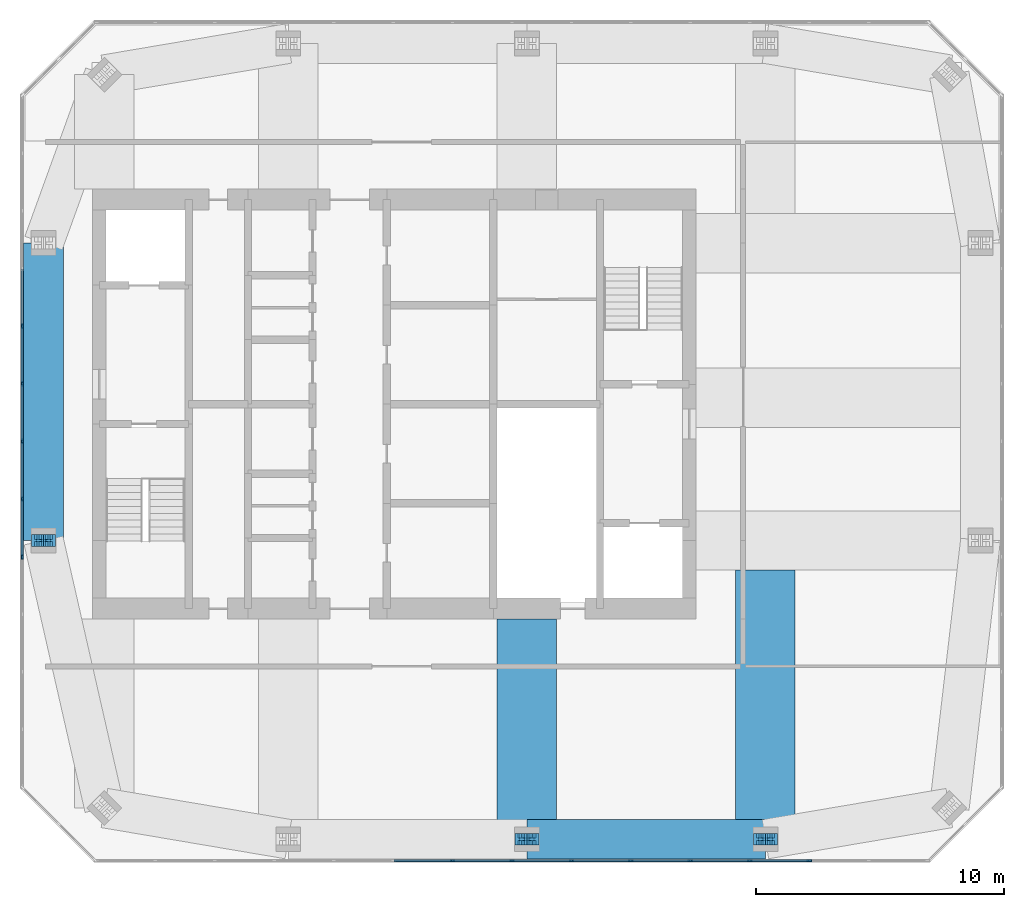
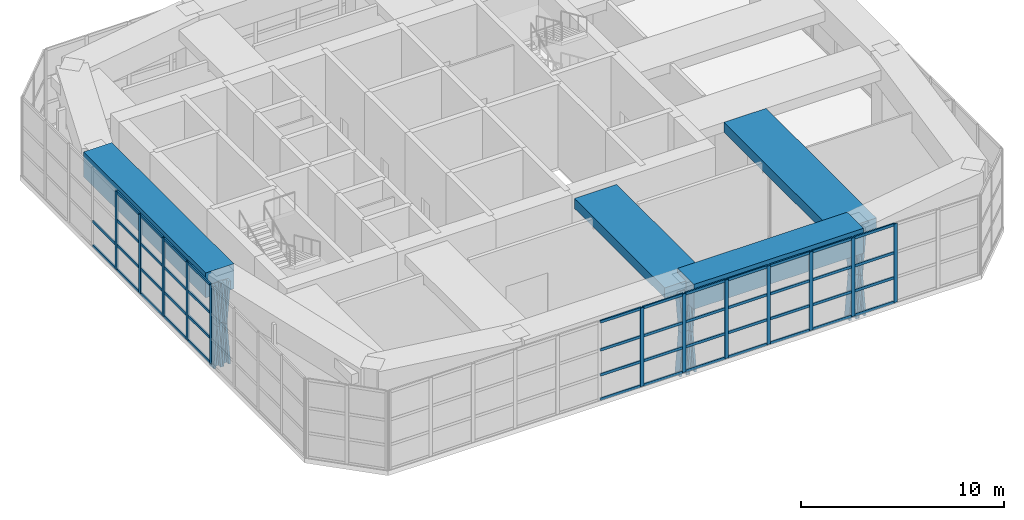
# One storey, part 3 of 14: 70 members, 4 beams, 2 elements without a shape of their own.
"""IFC4 building model written with IfcOpenShell, lengths in metres."""

from ifc_helpers import new_model, si_unit, direction, frame, origin, origin_2d, place, context, subcontext, project, spatial, rectangle, i_section, extrude, material, material_profile, profile_set, type_object, element, aggregate, save


model = new_model("IFC4")

# Units and contexts
model_context = context("Model", 3, precision=1e-05, world=origin(), true_north=direction((0.0, 1.0)))
body_context = subcontext(model_context, "Body", "Model", "MODEL_VIEW")
ifc_project = project(units=[si_unit("LENGTHUNIT", "METRE"), si_unit("AREAUNIT", "SQUARE_METRE"), si_unit("VOLUMEUNIT", "CUBIC_METRE"), si_unit("PLANEANGLEUNIT", "RADIAN"), si_unit("MASSUNIT", "GRAM", prefix="KILO")], contexts=[model_context])

# Site, building, storey
site_placement = place(None, origin())
site = spatial("IfcSite", under=ifc_project, at=site_placement, CompositionType="ELEMENT")
building_placement = place(site_placement, origin())
building = spatial("IfcBuilding", under=site, at=building_placement, Name="Jalousie Tower", CompositionType="ELEMENT")
storey_placement = place(building_placement, frame((0.0, 0.0, 272.75)))
storey = spatial("IfcBuildingStorey", under=building, at=storey_placement, Name="L74", CompositionType="ELEMENT", Elevation=272.75)

# Curtain wall, members
ifc_material_1 = material(Name="Aluminium curtain wall", Category="aluminium")
curtain_wall_type = type_object("IfcCurtainWallType", Name="CROWN LOUVRE WALL", PredefinedType="USERDEFINED", material=ifc_material_1)
curtain_wall_1_placement = place(storey_placement, origin())
curtain_wall_1 = element("IfcCurtainWall", 1, at=curtain_wall_1_placement, inside=storey, type_object=curtain_wall_type, Name="Crown Louvre Wall L74 1", ObjectType="CROWN LOUVRE WALL", PredefinedType="USERDEFINED")
ifc_material_2 = material(Name="Aluminium mullion", Category="aluminium")
ifc_material_profile_1 = material_profile(ifc_material_2, rectangle(XDim=0.080078125, YDim=0.199951171875, at=origin_2d()), Name="MULLION 80x200")
ifc_profile_set_1 = profile_set([ifc_material_profile_1], Name="Aluminium mullion")
member_type_1 = type_object("IfcMemberType", Name="CROWN LOUVRE WALL MULLION", PredefinedType="MULLION", material=ifc_profile_set_1)
member_1_placement = place(storey_placement, frame((34.250244140625, 0.08740234375, 0.0), z_axis=(0.0, 0.0, 1.0), x_axis=(0.0, 1.0, 0.0)))
member_1 = element("IfcMember", 2, at=member_1_placement, type_object=member_type_1, Name="CW-L mullion 7", PredefinedType="MULLION", context=body_context, shape_type="SweptSolid", body=[
    extrude(rectangle(XDim=0.080078125, YDim=0.199951171875, at=origin_2d()), origin(), (0.0, 0.0, 1.0), 4.719970703125),
])
member_2_placement = place(storey_placement, frame((36.64990234375, 0.08740234375, 0.0), z_axis=(0.0, 0.0, 1.0), x_axis=(0.0, 1.0, 0.0)))
member_2 = element("IfcMember", 3, at=member_2_placement, type_object=member_type_1, Name="CW-L mullion 8", PredefinedType="MULLION", context=body_context, shape_type="SweptSolid", body=[
    extrude(rectangle(XDim=0.080078125, YDim=0.199951171875, at=origin_2d()), origin(), (0.0, 0.0, 1.0), 4.719970703125),
])
member_3_placement = place(storey_placement, frame((39.0498046875, 0.08740234375, 0.0), z_axis=(0.0, 0.0, 1.0), x_axis=(0.0, 1.0, 0.0)))
member_3 = element("IfcMember", 4, at=member_3_placement, type_object=member_type_1, Name="CW-L mullion 9", PredefinedType="MULLION", context=body_context, shape_type="SweptSolid", body=[
    extrude(rectangle(XDim=0.080078125, YDim=0.199951171875, at=origin_2d()), origin(), (0.0, 0.0, 1.0), 4.719970703125),
])
member_4_placement = place(storey_placement, frame((41.44970703125, 0.08740234375, 0.0), z_axis=(0.0, 0.0, 1.0), x_axis=(0.0, 1.0, 0.0)))
member_4 = element("IfcMember", 5, at=member_4_placement, type_object=member_type_1, Name="CW-L mullion 10", PredefinedType="MULLION", context=body_context, shape_type="SweptSolid", body=[
    extrude(rectangle(XDim=0.080078125, YDim=0.199951171875, at=origin_2d()), origin(), (0.0, 0.0, 1.0), 4.719970703125),
])
member_5_placement = place(storey_placement, frame((43.849365234375, 0.08740234375, 0.0), z_axis=(0.0, 0.0, 1.0), x_axis=(0.0, 1.0, 0.0)))
member_5 = element("IfcMember", 6, at=member_5_placement, type_object=member_type_1, Name="CW-L mullion 11", PredefinedType="MULLION", context=body_context, shape_type="SweptSolid", body=[
    extrude(rectangle(XDim=0.080078125, YDim=0.199951171875, at=origin_2d()), origin(), (0.0, 0.0, 1.0), 4.719970703125),
])
member_6_placement = place(storey_placement, frame((46.249267578125, 0.08740234375, 0.0), z_axis=(0.0, 0.0, 1.0), x_axis=(0.0, 1.0, 0.0)))
member_6 = element("IfcMember", 7, at=member_6_placement, type_object=member_type_1, Name="CW-L mullion 12", PredefinedType="MULLION", context=body_context, shape_type="SweptSolid", body=[
    extrude(rectangle(XDim=0.080078125, YDim=0.199951171875, at=origin_2d()), origin(), (0.0, 0.0, 1.0), 4.719970703125),
])
member_7_placement = place(storey_placement, frame((48.649169921875, 0.08740234375, 0.0), z_axis=(0.0, 0.0, 1.0), x_axis=(0.0, 1.0, 0.0)))
member_7 = element("IfcMember", 8, at=member_7_placement, type_object=member_type_1, Name="CW-L mullion 13", PredefinedType="MULLION", context=body_context, shape_type="SweptSolid", body=[
    extrude(rectangle(XDim=0.080078125, YDim=0.199951171875, at=origin_2d()), origin(), (0.0, 0.0, 1.0), 4.719970703125),
])

curtain_wall_2_placement = place(storey_placement, origin())
curtain_wall_2 = element("IfcCurtainWall", 9, at=curtain_wall_2_placement, inside=storey, type_object=curtain_wall_type, Name="Crown Louvre Wall L74 7", ObjectType="CROWN LOUVRE WALL", PredefinedType="USERDEFINED")
member_8_placement = place(storey_placement, frame((16.887451171875, 21.649658203125, 0.0), z_axis=(0.0, 0.0, 1.0), x_axis=(1.0, 0.0, 0.0)))
member_8 = element("IfcMember", 10, at=member_8_placement, type_object=member_type_1, Name="CW-L mullion 5", PredefinedType="MULLION", context=body_context, shape_type="SweptSolid", body=[
    extrude(rectangle(XDim=0.080078125, YDim=0.199951171875, at=origin_2d()), origin(), (0.0, 0.0, 1.0), 4.719970703125),
])
member_9_placement = place(storey_placement, frame((16.887451171875, 19.32470703125, 0.0), z_axis=(0.0, 0.0, 1.0), x_axis=(1.0, 0.0, 0.0)))
member_9 = element("IfcMember", 11, at=member_9_placement, type_object=member_type_1, Name="CW-L mullion 6", PredefinedType="MULLION", context=body_context, shape_type="SweptSolid", body=[
    extrude(rectangle(XDim=0.080078125, YDim=0.199951171875, at=origin_2d()), origin(), (0.0, 0.0, 1.0), 4.719970703125),
])
member_10_placement = place(storey_placement, frame((16.887451171875, 17.0, 0.0), z_axis=(0.0, 0.0, 1.0), x_axis=(1.0, 0.0, 0.0)))
member_10 = element("IfcMember", 12, at=member_10_placement, type_object=member_type_1, Name="CW-L mullion 7", PredefinedType="MULLION", context=body_context, shape_type="SweptSolid", body=[
    extrude(rectangle(XDim=0.080078125, YDim=0.199951171875, at=origin_2d()), origin(), (0.0, 0.0, 1.0), 4.719970703125),
])
member_11_placement = place(storey_placement, frame((16.887451171875, 14.67529296875, 0.0), z_axis=(0.0, 0.0, 1.0), x_axis=(1.0, 0.0, 0.0)))
member_11 = element("IfcMember", 13, at=member_11_placement, type_object=member_type_1, Name="CW-L mullion 8", PredefinedType="MULLION", context=body_context, shape_type="SweptSolid", body=[
    extrude(rectangle(XDim=0.080078125, YDim=0.199951171875, at=origin_2d()), origin(), (0.0, 0.0, 1.0), 4.719970703125),
])
member_12_placement = place(storey_placement, frame((16.887451171875, 12.350341796875, 0.0), z_axis=(0.0, 0.0, 1.0), x_axis=(1.0, 0.0, 0.0)))
member_12 = element("IfcMember", 14, at=member_12_placement, type_object=member_type_1, Name="CW-L mullion 9", PredefinedType="MULLION", context=body_context, shape_type="SweptSolid", body=[
    extrude(rectangle(XDim=0.080078125, YDim=0.199951171875, at=origin_2d()), origin(), (0.0, 0.0, 1.0), 4.719970703125),
])

# Member
ifc_material_3 = material(Name="Aluminium transom", Category="aluminium")
ifc_material_profile_2 = material_profile(ifc_material_3, rectangle(XDim=0.080078125, YDim=0.159912109375, at=origin_2d()), Name="TRANSOM 80x160")
ifc_profile_set_2 = profile_set([ifc_material_profile_2], Name="Aluminium transom")
member_type_2 = type_object("IfcMemberType", Name="CROWN LOUVRE WALL TRANSOM", PredefinedType="USERDEFINED", material=ifc_profile_set_2)
member_13_placement = place(storey_placement, frame((31.890380859375, 0.08740234375, 0.0400390625), z_axis=(1.0, 0.0, 0.0), x_axis=(0.0, 1.0, 0.0)))
member_13 = element("IfcMember", 15, at=member_13_placement, type_object=member_type_2, Name="CW-L transom 6.1", ObjectType="TRANSOM", PredefinedType="USERDEFINED", context=body_context, shape_type="SweptSolid", body=[
    extrude(rectangle(XDim=0.080078125, YDim=0.159912109375, at=origin_2d()), origin(), (0.0, 0.0, 1.0), 2.31982421875),
])

member_14_placement = place(storey_placement, frame((31.890380859375, 0.08740234375, 1.5), z_axis=(1.0, 0.0, 0.0), x_axis=(0.0, 1.0, 0.0)))
member_14 = element("IfcMember", 16, at=member_14_placement, type_object=member_type_2, Name="CW-L transom 6.2", ObjectType="TRANSOM", PredefinedType="USERDEFINED", context=body_context, shape_type="SweptSolid", body=[
    extrude(rectangle(XDim=0.080078125, YDim=0.159912109375, at=origin_2d()), origin(), (0.0, 0.0, 1.0), 2.31982421875),
])

member_15_placement = place(storey_placement, frame((31.890380859375, 0.08740234375, 3.0), z_axis=(1.0, 0.0, 0.0), x_axis=(0.0, 1.0, 0.0)))
member_15 = element("IfcMember", 17, at=member_15_placement, type_object=member_type_2, Name="CW-L transom 6.3", ObjectType="TRANSOM", PredefinedType="USERDEFINED", context=body_context, shape_type="SweptSolid", body=[
    extrude(rectangle(XDim=0.080078125, YDim=0.159912109375, at=origin_2d()), origin(), (0.0, 0.0, 1.0), 2.31982421875),
])

member_16_placement = place(storey_placement, frame((31.890380859375, 0.08740234375, 4.679931640625), z_axis=(1.0, 0.0, 0.0), x_axis=(0.0, 1.0, 0.0)))
member_16 = element("IfcMember", 18, at=member_16_placement, type_object=member_type_2, Name="CW-L transom 6.4", ObjectType="TRANSOM", PredefinedType="USERDEFINED", context=body_context, shape_type="SweptSolid", body=[
    extrude(rectangle(XDim=0.080078125, YDim=0.159912109375, at=origin_2d()), origin(), (0.0, 0.0, 1.0), 2.31982421875),
])

member_17_placement = place(storey_placement, frame((34.290283203125, 0.08740234375, 0.0400390625), z_axis=(1.0, 0.0, 0.0), x_axis=(0.0, 1.0, 0.0)))
member_17 = element("IfcMember", 19, at=member_17_placement, type_object=member_type_2, Name="CW-L transom 7.1", ObjectType="TRANSOM", PredefinedType="USERDEFINED", context=body_context, shape_type="SweptSolid", body=[
    extrude(rectangle(XDim=0.080078125, YDim=0.159912109375, at=origin_2d()), origin(), (0.0, 0.0, 1.0), 2.31982421875),
])

member_18_placement = place(storey_placement, frame((34.290283203125, 0.08740234375, 1.5), z_axis=(1.0, 0.0, 0.0), x_axis=(0.0, 1.0, 0.0)))
member_18 = element("IfcMember", 20, at=member_18_placement, type_object=member_type_2, Name="CW-L transom 7.2", ObjectType="TRANSOM", PredefinedType="USERDEFINED", context=body_context, shape_type="SweptSolid", body=[
    extrude(rectangle(XDim=0.080078125, YDim=0.159912109375, at=origin_2d()), origin(), (0.0, 0.0, 1.0), 2.31982421875),
])

member_19_placement = place(storey_placement, frame((34.290283203125, 0.08740234375, 3.0), z_axis=(1.0, 0.0, 0.0), x_axis=(0.0, 1.0, 0.0)))
member_19 = element("IfcMember", 21, at=member_19_placement, type_object=member_type_2, Name="CW-L transom 7.3", ObjectType="TRANSOM", PredefinedType="USERDEFINED", context=body_context, shape_type="SweptSolid", body=[
    extrude(rectangle(XDim=0.080078125, YDim=0.159912109375, at=origin_2d()), origin(), (0.0, 0.0, 1.0), 2.31982421875),
])

member_20_placement = place(storey_placement, frame((34.290283203125, 0.08740234375, 4.679931640625), z_axis=(1.0, 0.0, 0.0), x_axis=(0.0, 1.0, 0.0)))
member_20 = element("IfcMember", 22, at=member_20_placement, type_object=member_type_2, Name="CW-L transom 7.4", ObjectType="TRANSOM", PredefinedType="USERDEFINED", context=body_context, shape_type="SweptSolid", body=[
    extrude(rectangle(XDim=0.080078125, YDim=0.159912109375, at=origin_2d()), origin(), (0.0, 0.0, 1.0), 2.31982421875),
])

member_21_placement = place(storey_placement, frame((36.68994140625, 0.08740234375, 0.0400390625), z_axis=(1.0, 0.0, 0.0), x_axis=(0.0, 1.0, 0.0)))
member_21 = element("IfcMember", 23, at=member_21_placement, type_object=member_type_2, Name="CW-L transom 8.1", ObjectType="TRANSOM", PredefinedType="USERDEFINED", context=body_context, shape_type="SweptSolid", body=[
    extrude(rectangle(XDim=0.080078125, YDim=0.159912109375, at=origin_2d()), origin(), (0.0, 0.0, 1.0), 2.31982421875),
])

member_22_placement = place(storey_placement, frame((36.68994140625, 0.08740234375, 1.5), z_axis=(1.0, 0.0, 0.0), x_axis=(0.0, 1.0, 0.0)))
member_22 = element("IfcMember", 24, at=member_22_placement, type_object=member_type_2, Name="CW-L transom 8.2", ObjectType="TRANSOM", PredefinedType="USERDEFINED", context=body_context, shape_type="SweptSolid", body=[
    extrude(rectangle(XDim=0.080078125, YDim=0.159912109375, at=origin_2d()), origin(), (0.0, 0.0, 1.0), 2.31982421875),
])

member_23_placement = place(storey_placement, frame((36.68994140625, 0.08740234375, 3.0), z_axis=(1.0, 0.0, 0.0), x_axis=(0.0, 1.0, 0.0)))
member_23 = element("IfcMember", 25, at=member_23_placement, type_object=member_type_2, Name="CW-L transom 8.3", ObjectType="TRANSOM", PredefinedType="USERDEFINED", context=body_context, shape_type="SweptSolid", body=[
    extrude(rectangle(XDim=0.080078125, YDim=0.159912109375, at=origin_2d()), origin(), (0.0, 0.0, 1.0), 2.31982421875),
])

member_24_placement = place(storey_placement, frame((36.68994140625, 0.08740234375, 4.679931640625), z_axis=(1.0, 0.0, 0.0), x_axis=(0.0, 1.0, 0.0)))
member_24 = element("IfcMember", 26, at=member_24_placement, type_object=member_type_2, Name="CW-L transom 8.4", ObjectType="TRANSOM", PredefinedType="USERDEFINED", context=body_context, shape_type="SweptSolid", body=[
    extrude(rectangle(XDim=0.080078125, YDim=0.159912109375, at=origin_2d()), origin(), (0.0, 0.0, 1.0), 2.31982421875),
])

member_25_placement = place(storey_placement, frame((39.08984375, 0.08740234375, 0.0400390625), z_axis=(1.0, 0.0, 0.0), x_axis=(0.0, 1.0, 0.0)))
member_25 = element("IfcMember", 27, at=member_25_placement, type_object=member_type_2, Name="CW-L transom 9.1", ObjectType="TRANSOM", PredefinedType="USERDEFINED", context=body_context, shape_type="SweptSolid", body=[
    extrude(rectangle(XDim=0.080078125, YDim=0.159912109375, at=origin_2d()), origin(), (0.0, 0.0, 1.0), 2.31982421875),
])

member_26_placement = place(storey_placement, frame((39.08984375, 0.08740234375, 1.5), z_axis=(1.0, 0.0, 0.0), x_axis=(0.0, 1.0, 0.0)))
member_26 = element("IfcMember", 28, at=member_26_placement, type_object=member_type_2, Name="CW-L transom 9.2", ObjectType="TRANSOM", PredefinedType="USERDEFINED", context=body_context, shape_type="SweptSolid", body=[
    extrude(rectangle(XDim=0.080078125, YDim=0.159912109375, at=origin_2d()), origin(), (0.0, 0.0, 1.0), 2.31982421875),
])

member_27_placement = place(storey_placement, frame((39.08984375, 0.08740234375, 3.0), z_axis=(1.0, 0.0, 0.0), x_axis=(0.0, 1.0, 0.0)))
member_27 = element("IfcMember", 29, at=member_27_placement, type_object=member_type_2, Name="CW-L transom 9.3", ObjectType="TRANSOM", PredefinedType="USERDEFINED", context=body_context, shape_type="SweptSolid", body=[
    extrude(rectangle(XDim=0.080078125, YDim=0.159912109375, at=origin_2d()), origin(), (0.0, 0.0, 1.0), 2.31982421875),
])

member_28_placement = place(storey_placement, frame((39.08984375, 0.08740234375, 4.679931640625), z_axis=(1.0, 0.0, 0.0), x_axis=(0.0, 1.0, 0.0)))
member_28 = element("IfcMember", 30, at=member_28_placement, type_object=member_type_2, Name="CW-L transom 9.4", ObjectType="TRANSOM", PredefinedType="USERDEFINED", context=body_context, shape_type="SweptSolid", body=[
    extrude(rectangle(XDim=0.080078125, YDim=0.159912109375, at=origin_2d()), origin(), (0.0, 0.0, 1.0), 2.31982421875),
])

member_29_placement = place(storey_placement, frame((41.48974609375, 0.08740234375, 0.0400390625), z_axis=(1.0, 0.0, 0.0), x_axis=(0.0, 1.0, 0.0)))
member_29 = element("IfcMember", 31, at=member_29_placement, type_object=member_type_2, Name="CW-L transom 10.1", ObjectType="TRANSOM", PredefinedType="USERDEFINED", context=body_context, shape_type="SweptSolid", body=[
    extrude(rectangle(XDim=0.080078125, YDim=0.159912109375, at=origin_2d()), origin(), (0.0, 0.0, 1.0), 2.319580078125),
])

member_30_placement = place(storey_placement, frame((41.48974609375, 0.08740234375, 1.5), z_axis=(1.0, 0.0, 0.0), x_axis=(0.0, 1.0, 0.0)))
member_30 = element("IfcMember", 32, at=member_30_placement, type_object=member_type_2, Name="CW-L transom 10.2", ObjectType="TRANSOM", PredefinedType="USERDEFINED", context=body_context, shape_type="SweptSolid", body=[
    extrude(rectangle(XDim=0.080078125, YDim=0.159912109375, at=origin_2d()), origin(), (0.0, 0.0, 1.0), 2.319580078125),
])

member_31_placement = place(storey_placement, frame((41.48974609375, 0.08740234375, 3.0), z_axis=(1.0, 0.0, 0.0), x_axis=(0.0, 1.0, 0.0)))
member_31 = element("IfcMember", 33, at=member_31_placement, type_object=member_type_2, Name="CW-L transom 10.3", ObjectType="TRANSOM", PredefinedType="USERDEFINED", context=body_context, shape_type="SweptSolid", body=[
    extrude(rectangle(XDim=0.080078125, YDim=0.159912109375, at=origin_2d()), origin(), (0.0, 0.0, 1.0), 2.319580078125),
])

member_32_placement = place(storey_placement, frame((41.48974609375, 0.08740234375, 4.679931640625), z_axis=(1.0, 0.0, 0.0), x_axis=(0.0, 1.0, 0.0)))
member_32 = element("IfcMember", 34, at=member_32_placement, type_object=member_type_2, Name="CW-L transom 10.4", ObjectType="TRANSOM", PredefinedType="USERDEFINED", context=body_context, shape_type="SweptSolid", body=[
    extrude(rectangle(XDim=0.080078125, YDim=0.159912109375, at=origin_2d()), origin(), (0.0, 0.0, 1.0), 2.319580078125),
])

member_33_placement = place(storey_placement, frame((43.889404296875, 0.08740234375, 0.0400390625), z_axis=(1.0, 0.0, 0.0), x_axis=(0.0, 1.0, 0.0)))
member_33 = element("IfcMember", 35, at=member_33_placement, type_object=member_type_2, Name="CW-L transom 11.1", ObjectType="TRANSOM", PredefinedType="USERDEFINED", context=body_context, shape_type="SweptSolid", body=[
    extrude(rectangle(XDim=0.080078125, YDim=0.159912109375, at=origin_2d()), origin(), (0.0, 0.0, 1.0), 2.31982421875),
])

member_34_placement = place(storey_placement, frame((43.889404296875, 0.08740234375, 1.5), z_axis=(1.0, 0.0, 0.0), x_axis=(0.0, 1.0, 0.0)))
member_34 = element("IfcMember", 36, at=member_34_placement, type_object=member_type_2, Name="CW-L transom 11.2", ObjectType="TRANSOM", PredefinedType="USERDEFINED", context=body_context, shape_type="SweptSolid", body=[
    extrude(rectangle(XDim=0.080078125, YDim=0.159912109375, at=origin_2d()), origin(), (0.0, 0.0, 1.0), 2.31982421875),
])

member_35_placement = place(storey_placement, frame((43.889404296875, 0.08740234375, 3.0), z_axis=(1.0, 0.0, 0.0), x_axis=(0.0, 1.0, 0.0)))
member_35 = element("IfcMember", 37, at=member_35_placement, type_object=member_type_2, Name="CW-L transom 11.3", ObjectType="TRANSOM", PredefinedType="USERDEFINED", context=body_context, shape_type="SweptSolid", body=[
    extrude(rectangle(XDim=0.080078125, YDim=0.159912109375, at=origin_2d()), origin(), (0.0, 0.0, 1.0), 2.31982421875),
])

member_36_placement = place(storey_placement, frame((43.889404296875, 0.08740234375, 4.679931640625), z_axis=(1.0, 0.0, 0.0), x_axis=(0.0, 1.0, 0.0)))
member_36 = element("IfcMember", 38, at=member_36_placement, type_object=member_type_2, Name="CW-L transom 11.4", ObjectType="TRANSOM", PredefinedType="USERDEFINED", context=body_context, shape_type="SweptSolid", body=[
    extrude(rectangle(XDim=0.080078125, YDim=0.159912109375, at=origin_2d()), origin(), (0.0, 0.0, 1.0), 2.31982421875),
])

member_37_placement = place(storey_placement, frame((46.289306640625, 0.08740234375, 0.0400390625), z_axis=(1.0, 0.0, 0.0), x_axis=(0.0, 1.0, 0.0)))
member_37 = element("IfcMember", 39, at=member_37_placement, type_object=member_type_2, Name="CW-L transom 12.1", ObjectType="TRANSOM", PredefinedType="USERDEFINED", context=body_context, shape_type="SweptSolid", body=[
    extrude(rectangle(XDim=0.080078125, YDim=0.159912109375, at=origin_2d()), origin(), (0.0, 0.0, 1.0), 2.31982421875),
])

member_38_placement = place(storey_placement, frame((46.289306640625, 0.08740234375, 1.5), z_axis=(1.0, 0.0, 0.0), x_axis=(0.0, 1.0, 0.0)))
member_38 = element("IfcMember", 40, at=member_38_placement, type_object=member_type_2, Name="CW-L transom 12.2", ObjectType="TRANSOM", PredefinedType="USERDEFINED", context=body_context, shape_type="SweptSolid", body=[
    extrude(rectangle(XDim=0.080078125, YDim=0.159912109375, at=origin_2d()), origin(), (0.0, 0.0, 1.0), 2.31982421875),
])

member_39_placement = place(storey_placement, frame((46.289306640625, 0.08740234375, 3.0), z_axis=(1.0, 0.0, 0.0), x_axis=(0.0, 1.0, 0.0)))
member_39 = element("IfcMember", 41, at=member_39_placement, type_object=member_type_2, Name="CW-L transom 12.3", ObjectType="TRANSOM", PredefinedType="USERDEFINED", context=body_context, shape_type="SweptSolid", body=[
    extrude(rectangle(XDim=0.080078125, YDim=0.159912109375, at=origin_2d()), origin(), (0.0, 0.0, 1.0), 2.31982421875),
])

member_40_placement = place(storey_placement, frame((46.289306640625, 0.08740234375, 4.679931640625), z_axis=(1.0, 0.0, 0.0), x_axis=(0.0, 1.0, 0.0)))
member_40 = element("IfcMember", 42, at=member_40_placement, type_object=member_type_2, Name="CW-L transom 12.4", ObjectType="TRANSOM", PredefinedType="USERDEFINED", context=body_context, shape_type="SweptSolid", body=[
    extrude(rectangle(XDim=0.080078125, YDim=0.159912109375, at=origin_2d()), origin(), (0.0, 0.0, 1.0), 2.31982421875),
])

aggregate(curtain_wall_1, [member_1, member_2, member_3, member_4, member_5, member_6, member_7, member_13, member_14, member_15, member_16, member_17, member_18, member_19, member_20, member_21, member_22, member_23, member_24, member_25, member_26, member_27, member_28, member_29, member_30, member_31, member_32, member_33, member_34, member_35, member_36, member_37, member_38, member_39, member_40])

member_41_placement = place(storey_placement, frame((16.887451171875, 23.934326171875, 0.0400390625), z_axis=(0.0, -1.0, 0.0), x_axis=(1.0, 0.0, 0.0)))
member_41 = element("IfcMember", 43, at=member_41_placement, type_object=member_type_2, Name="CW-L transom 4.1", ObjectType="TRANSOM", PredefinedType="USERDEFINED", context=body_context, shape_type="SweptSolid", body=[
    extrude(rectangle(XDim=0.080078125, YDim=0.159912109375, at=origin_2d()), origin(), (0.0, 0.0, 1.0), 2.244873046875),
])

member_42_placement = place(storey_placement, frame((16.887451171875, 23.934326171875, 1.5), z_axis=(0.0, -1.0, 0.0), x_axis=(1.0, 0.0, 0.0)))
member_42 = element("IfcMember", 44, at=member_42_placement, type_object=member_type_2, Name="CW-L transom 4.2", ObjectType="TRANSOM", PredefinedType="USERDEFINED", context=body_context, shape_type="SweptSolid", body=[
    extrude(rectangle(XDim=0.080078125, YDim=0.159912109375, at=origin_2d()), origin(), (0.0, 0.0, 1.0), 2.244873046875),
])

member_43_placement = place(storey_placement, frame((16.887451171875, 21.609619140625, 0.0400390625), z_axis=(0.0, -1.0, 0.0), x_axis=(1.0, 0.0, 0.0)))
member_43 = element("IfcMember", 45, at=member_43_placement, type_object=member_type_2, Name="CW-L transom 5.1", ObjectType="TRANSOM", PredefinedType="USERDEFINED", context=body_context, shape_type="SweptSolid", body=[
    extrude(rectangle(XDim=0.080078125, YDim=0.159912109375, at=origin_2d()), origin(), (0.0, 0.0, 1.0), 2.244873046875),
])

member_44_placement = place(storey_placement, frame((16.887451171875, 21.609619140625, 1.5), z_axis=(0.0, -1.0, 0.0), x_axis=(1.0, 0.0, 0.0)))
member_44 = element("IfcMember", 46, at=member_44_placement, type_object=member_type_2, Name="CW-L transom 5.2", ObjectType="TRANSOM", PredefinedType="USERDEFINED", context=body_context, shape_type="SweptSolid", body=[
    extrude(rectangle(XDim=0.080078125, YDim=0.159912109375, at=origin_2d()), origin(), (0.0, 0.0, 1.0), 2.244873046875),
])

member_45_placement = place(storey_placement, frame((16.887451171875, 21.609619140625, 3.0), z_axis=(0.0, -1.0, 0.0), x_axis=(1.0, 0.0, 0.0)))
member_45 = element("IfcMember", 47, at=member_45_placement, type_object=member_type_2, Name="CW-L transom 5.3", ObjectType="TRANSOM", PredefinedType="USERDEFINED", context=body_context, shape_type="SweptSolid", body=[
    extrude(rectangle(XDim=0.080078125, YDim=0.159912109375, at=origin_2d()), origin(), (0.0, 0.0, 1.0), 2.244873046875),
])

member_46_placement = place(storey_placement, frame((16.887451171875, 21.609619140625, 4.679931640625), z_axis=(0.0, -1.0, 0.0), x_axis=(1.0, 0.0, 0.0)))
member_46 = element("IfcMember", 48, at=member_46_placement, type_object=member_type_2, Name="CW-L transom 5.4", ObjectType="TRANSOM", PredefinedType="USERDEFINED", context=body_context, shape_type="SweptSolid", body=[
    extrude(rectangle(XDim=0.080078125, YDim=0.159912109375, at=origin_2d()), origin(), (0.0, 0.0, 1.0), 2.244873046875),
])

member_47_placement = place(storey_placement, frame((16.887451171875, 19.28466796875, 0.0400390625), z_axis=(0.0, -1.0, 0.0), x_axis=(1.0, 0.0, 0.0)))
member_47 = element("IfcMember", 49, at=member_47_placement, type_object=member_type_2, Name="CW-L transom 6.1", ObjectType="TRANSOM", PredefinedType="USERDEFINED", context=body_context, shape_type="SweptSolid", body=[
    extrude(rectangle(XDim=0.080078125, YDim=0.159912109375, at=origin_2d()), origin(), (0.0, 0.0, 1.0), 2.24462890625),
])

member_48_placement = place(storey_placement, frame((16.887451171875, 19.28466796875, 1.5), z_axis=(0.0, -1.0, 0.0), x_axis=(1.0, 0.0, 0.0)))
member_48 = element("IfcMember", 50, at=member_48_placement, type_object=member_type_2, Name="CW-L transom 6.2", ObjectType="TRANSOM", PredefinedType="USERDEFINED", context=body_context, shape_type="SweptSolid", body=[
    extrude(rectangle(XDim=0.080078125, YDim=0.159912109375, at=origin_2d()), origin(), (0.0, 0.0, 1.0), 2.24462890625),
])

member_49_placement = place(storey_placement, frame((16.887451171875, 19.28466796875, 3.0), z_axis=(0.0, -1.0, 0.0), x_axis=(1.0, 0.0, 0.0)))
member_49 = element("IfcMember", 51, at=member_49_placement, type_object=member_type_2, Name="CW-L transom 6.3", ObjectType="TRANSOM", PredefinedType="USERDEFINED", context=body_context, shape_type="SweptSolid", body=[
    extrude(rectangle(XDim=0.080078125, YDim=0.159912109375, at=origin_2d()), origin(), (0.0, 0.0, 1.0), 2.24462890625),
])

member_50_placement = place(storey_placement, frame((16.887451171875, 19.28466796875, 4.679931640625), z_axis=(0.0, -1.0, 0.0), x_axis=(1.0, 0.0, 0.0)))
member_50 = element("IfcMember", 52, at=member_50_placement, type_object=member_type_2, Name="CW-L transom 6.4", ObjectType="TRANSOM", PredefinedType="USERDEFINED", context=body_context, shape_type="SweptSolid", body=[
    extrude(rectangle(XDim=0.080078125, YDim=0.159912109375, at=origin_2d()), origin(), (0.0, 0.0, 1.0), 2.24462890625),
])

member_51_placement = place(storey_placement, frame((16.887451171875, 16.9599609375, 0.0400390625), z_axis=(0.0, -1.0, 0.0), x_axis=(1.0, 0.0, 0.0)))
member_51 = element("IfcMember", 53, at=member_51_placement, type_object=member_type_2, Name="CW-L transom 7.1", ObjectType="TRANSOM", PredefinedType="USERDEFINED", context=body_context, shape_type="SweptSolid", body=[
    extrude(rectangle(XDim=0.080078125, YDim=0.159912109375, at=origin_2d()), origin(), (0.0, 0.0, 1.0), 2.24462890625),
])

member_52_placement = place(storey_placement, frame((16.887451171875, 16.9599609375, 1.5), z_axis=(0.0, -1.0, 0.0), x_axis=(1.0, 0.0, 0.0)))
member_52 = element("IfcMember", 54, at=member_52_placement, type_object=member_type_2, Name="CW-L transom 7.2", ObjectType="TRANSOM", PredefinedType="USERDEFINED", context=body_context, shape_type="SweptSolid", body=[
    extrude(rectangle(XDim=0.080078125, YDim=0.159912109375, at=origin_2d()), origin(), (0.0, 0.0, 1.0), 2.24462890625),
])

member_53_placement = place(storey_placement, frame((16.887451171875, 16.9599609375, 3.0), z_axis=(0.0, -1.0, 0.0), x_axis=(1.0, 0.0, 0.0)))
member_53 = element("IfcMember", 55, at=member_53_placement, type_object=member_type_2, Name="CW-L transom 7.3", ObjectType="TRANSOM", PredefinedType="USERDEFINED", context=body_context, shape_type="SweptSolid", body=[
    extrude(rectangle(XDim=0.080078125, YDim=0.159912109375, at=origin_2d()), origin(), (0.0, 0.0, 1.0), 2.24462890625),
])

member_54_placement = place(storey_placement, frame((16.887451171875, 16.9599609375, 4.679931640625), z_axis=(0.0, -1.0, 0.0), x_axis=(1.0, 0.0, 0.0)))
member_54 = element("IfcMember", 56, at=member_54_placement, type_object=member_type_2, Name="CW-L transom 7.4", ObjectType="TRANSOM", PredefinedType="USERDEFINED", context=body_context, shape_type="SweptSolid", body=[
    extrude(rectangle(XDim=0.080078125, YDim=0.159912109375, at=origin_2d()), origin(), (0.0, 0.0, 1.0), 2.24462890625),
])

member_55_placement = place(storey_placement, frame((16.887451171875, 14.63525390625, 0.0400390625), z_axis=(0.0, -1.0, 0.0), x_axis=(1.0, 0.0, 0.0)))
member_55 = element("IfcMember", 57, at=member_55_placement, type_object=member_type_2, Name="CW-L transom 8.1", ObjectType="TRANSOM", PredefinedType="USERDEFINED", context=body_context, shape_type="SweptSolid", body=[
    extrude(rectangle(XDim=0.080078125, YDim=0.159912109375, at=origin_2d()), origin(), (0.0, 0.0, 1.0), 2.244873046875),
])

member_56_placement = place(storey_placement, frame((16.887451171875, 14.63525390625, 1.5), z_axis=(0.0, -1.0, 0.0), x_axis=(1.0, 0.0, 0.0)))
member_56 = element("IfcMember", 58, at=member_56_placement, type_object=member_type_2, Name="CW-L transom 8.2", ObjectType="TRANSOM", PredefinedType="USERDEFINED", context=body_context, shape_type="SweptSolid", body=[
    extrude(rectangle(XDim=0.080078125, YDim=0.159912109375, at=origin_2d()), origin(), (0.0, 0.0, 1.0), 2.244873046875),
])

member_57_placement = place(storey_placement, frame((16.887451171875, 14.63525390625, 3.0), z_axis=(0.0, -1.0, 0.0), x_axis=(1.0, 0.0, 0.0)))
member_57 = element("IfcMember", 59, at=member_57_placement, type_object=member_type_2, Name="CW-L transom 8.3", ObjectType="TRANSOM", PredefinedType="USERDEFINED", context=body_context, shape_type="SweptSolid", body=[
    extrude(rectangle(XDim=0.080078125, YDim=0.159912109375, at=origin_2d()), origin(), (0.0, 0.0, 1.0), 2.244873046875),
])

member_58_placement = place(storey_placement, frame((16.887451171875, 14.63525390625, 4.679931640625), z_axis=(0.0, -1.0, 0.0), x_axis=(1.0, 0.0, 0.0)))
member_58 = element("IfcMember", 60, at=member_58_placement, type_object=member_type_2, Name="CW-L transom 8.4", ObjectType="TRANSOM", PredefinedType="USERDEFINED", context=body_context, shape_type="SweptSolid", body=[
    extrude(rectangle(XDim=0.080078125, YDim=0.159912109375, at=origin_2d()), origin(), (0.0, 0.0, 1.0), 2.244873046875),
])

aggregate(curtain_wall_2, [member_8, member_9, member_10, member_11, member_12, member_41, member_42, member_43, member_44, member_45, member_46, member_47, member_48, member_49, member_50, member_51, member_52, member_53, member_54, member_55, member_56, member_57, member_58])

# Members
ifc_material_4 = material(Name="Steel ASTM A992 Grade 50", Category="steel")
ifc_material_profile_3 = material_profile(ifc_material_4, i_section(OverallWidth=0.472412109375, OverallDepth=0.5791015625, WebThickness=0.094970703125, FlangeThickness=0.1298828125, at=origin_2d()), Name="W14X808")
ifc_profile_set_3 = profile_set([ifc_material_profile_3], Name="Steel ASTM A992 Grade 50")
member_type_3 = type_object("IfcMemberType", Name="PERIMETER BRACE W14X808", PredefinedType="BRACE", material=ifc_profile_set_3)
for number, where, z_axis, x_axis, name in (
    (61, (37.050048828125, 0.949951171875, -0.75), (0.079725876999, 0.0, 0.99681682597), (0.0, 1.0, 0.0), "Perimeter brace 03 L74 part 1"),
    (62, (37.25, 0.949951171875, 1.75), (0.079725876999, 0.0, 0.99681682597), (0.0, 1.0, 0.0), "Perimeter brace 03 L74 part 2"),
    (63, (37.449951171875, 0.949951171875, -0.75), (-0.079725876999, 0.0, 0.99681682597), (0.0, -1.0, 0.0), "Perimeter brace 03 L74 part 3"),
    (64, (37.25, 0.949951171875, 1.75), (-0.079725876999, 0.0, 0.99681682597), (0.0, -1.0, 0.0), "Perimeter brace 03 L74 part 4"),
    (65, (46.675048828125, 0.949951171875, -0.75), (0.079725876999, 0.0, 0.99681682597), (0.0, 1.0, 0.0), "Perimeter brace 04 L74 part 1"),
    (66, (46.875, 0.949951171875, 1.75), (0.079725876999, 0.0, 0.99681682597), (0.0, 1.0, 0.0), "Perimeter brace 04 L74 part 2"),
    (67, (47.074951171875, 0.949951171875, -0.75), (-0.079725876999, 0.0, 0.99681682597), (0.0, -1.0, 0.0), "Perimeter brace 04 L74 part 3"),
    (68, (46.875, 0.949951171875, 1.75), (-0.079725876999, 0.0, 0.99681682597), (0.0, -1.0, 0.0), "Perimeter brace 04 L74 part 4"),
    (69, (17.550048828125, 13.0, -0.75), (0.079725876999, 0.0, 0.99681682597), (0.0, 1.0, 0.0), "Perimeter brace 14 L74 part 1"),
    (70, (17.75, 13.0, 1.75), (0.079725876999, 0.0, 0.99681682597), (0.0, 1.0, 0.0), "Perimeter brace 14 L74 part 2"),
    (71, (17.949951171875, 13.0, -0.75), (-0.079725876999, 0.0, 0.99681682597), (0.0, -1.0, 0.0), "Perimeter brace 14 L74 part 3"),
    (72, (17.75, 13.0, 1.75), (-0.079725876999, 0.0, 0.99681682597), (0.0, -1.0, 0.0), "Perimeter brace 14 L74 part 4"),
):
    element("IfcMember", number, at=place(storey_placement, frame(where, z_axis=z_axis, x_axis=x_axis)), inside=storey, type_object=member_type_3, Name=name, PredefinedType="BRACE", context=body_context, shape_type="SweptSolid", body=[
        extrude(i_section(OverallWidth=0.472412109375, OverallDepth=0.5791015625, WebThickness=0.094970703125, FlangeThickness=0.1298828125, at=origin_2d()), origin(), (0.0, 0.0, 1.0), 2.508056640625),
    ])

# Beams
ifc_material_5 = material(Name="Concrete f'c 40 MPa", Category="concrete")
ifc_material_profile_4 = material_profile(ifc_material_5, rectangle(XDim=1.60009765625, YDim=1.5, at=origin_2d()), Name="RC 1600x1500")
ifc_profile_set_4 = profile_set([ifc_material_profile_4], Name="Concrete f'c 40 MPa")
beam_type_1 = type_object("IfcBeamType", Name="RC BEAM 1600x1500", PredefinedType="BEAM", material=ifc_profile_set_4)
beam_1_placement = place(storey_placement, frame((37.25, 0.949951171875, 4.25), z_axis=(1.0, 0.0, 0.0), x_axis=(0.0, 1.0, 0.0)))
element("IfcBeam", 73, at=beam_1_placement, inside=storey, type_object=beam_type_1, Name="Edge band beam 03-04 under RF", PredefinedType="BEAM", context=body_context, shape_type="SweptSolid", body=[
    extrude(rectangle(XDim=1.60009765625, YDim=1.5, at=origin_2d()), origin(), (0.0, 0.0, 1.0), 9.625),
])
beam_2_placement = place(storey_placement, frame((17.75, 25.0, 4.25), z_axis=(0.0, -1.0, 0.0), x_axis=(1.0, 0.0, 0.0)))
element("IfcBeam", 74, at=beam_2_placement, inside=storey, type_object=beam_type_1, Name="Edge band beam 13-14 under RF", PredefinedType="BEAM", context=body_context, shape_type="SweptSolid", body=[
    extrude(rectangle(XDim=1.60009765625, YDim=1.5, at=origin_2d()), origin(), (0.0, 0.0, 1.0), 12.0),
])
ifc_material_6 = material(Name="Concrete f'c 40 MPa", Category="concrete")
ifc_material_profile_5 = material_profile(ifc_material_6, rectangle(XDim=2.39990234375, YDim=0.60009765625, at=origin_2d()), Name="RC 2400x600")
ifc_profile_set_5 = profile_set([ifc_material_profile_5], Name="Concrete f'c 40 MPa")
beam_type_2 = type_object("IfcBeamType", Name="RC BEAM 2400x600", PredefinedType="BEAM", material=ifc_profile_set_5)
beam_3_placement = place(storey_placement, frame((37.25, 0.949951171875, 4.419921875), z_axis=(0.0, 1.0, 0.0), x_axis=(-1.0, 0.0, 0.0)))
element("IfcBeam", 75, at=beam_3_placement, inside=storey, type_object=beam_type_2, Name="Floor band beam under RF", PredefinedType="BEAM", context=body_context, shape_type="SweptSolid", body=[
    extrude(rectangle(XDim=2.39990234375, YDim=0.60009765625, at=origin_2d()), origin(), (0.0, 0.0, 1.0), 8.875),
])
beam_4_placement = place(storey_placement, frame((46.875, 0.949951171875, 4.419921875), z_axis=(0.0, 1.0, 0.0), x_axis=(-1.0, 0.0, 0.0)))
element("IfcBeam", 76, at=beam_4_placement, inside=storey, type_object=beam_type_2, Name="Floor band beam under RF", PredefinedType="BEAM", context=body_context, shape_type="SweptSolid", body=[
    extrude(rectangle(XDim=2.39990234375, YDim=0.60009765625, at=origin_2d()), origin(), (0.0, 0.0, 1.0), 10.85009765625),
])

save(model, "model.ifc")
